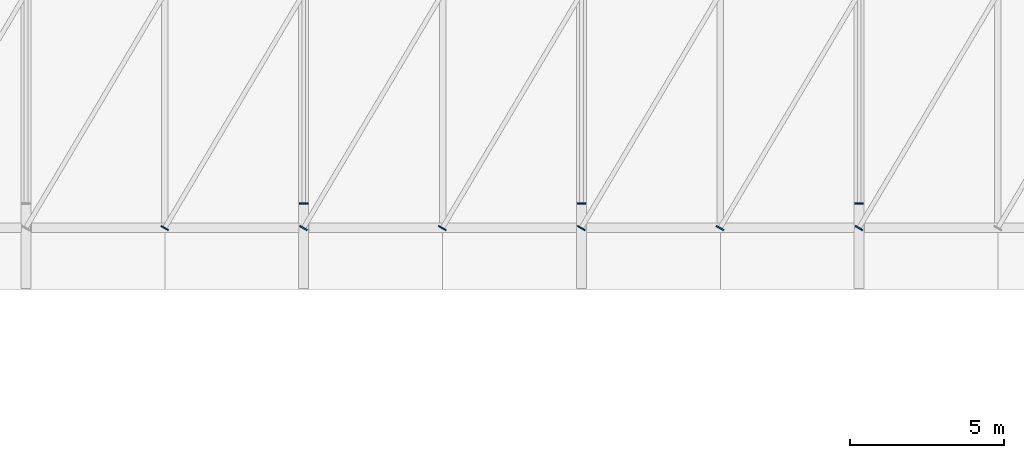
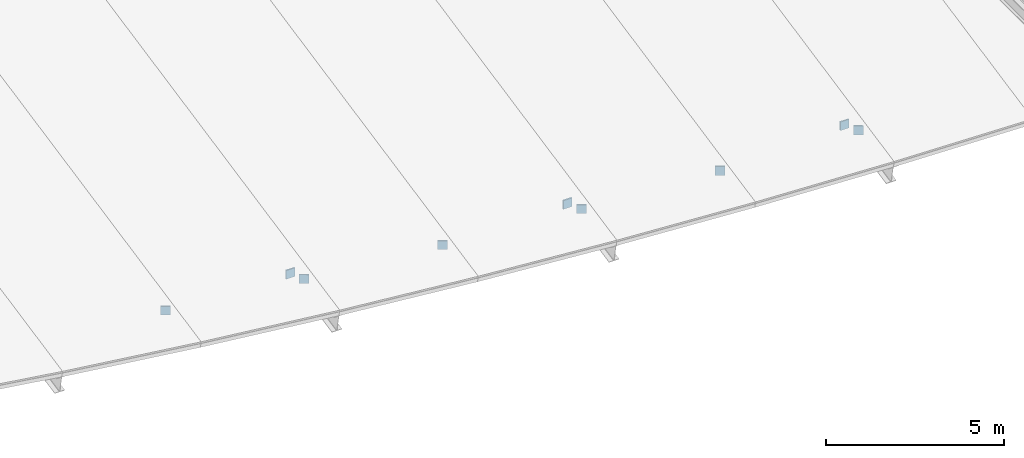
# One storey, part 16 of 21: 9 plates.
"""IFC4 building model written with IfcOpenShell, lengths in metres."""

from ifc_helpers import new_model, si_unit, direction, frame, origin, origin_2d, place, context, subcontext, project, spatial, rectangle, extrude, material, layer, layer_set, type_object, element, save


model = new_model("IFC4")

# Units and contexts
model_context = context("Model", 3, precision=1e-05, world=origin(), true_north=direction((0.0, 1.0)))
body_context = subcontext(model_context, "Body", "Model", "MODEL_VIEW")
ifc_project = project(units=[si_unit("LENGTHUNIT", "METRE"), si_unit("AREAUNIT", "SQUARE_METRE"), si_unit("VOLUMEUNIT", "CUBIC_METRE"), si_unit("PLANEANGLEUNIT", "RADIAN"), si_unit("MASSUNIT", "GRAM", prefix="KILO")], contexts=[model_context])

# Site, building, storey
site_placement = place(None, origin())
site = spatial("IfcSite", under=ifc_project, at=site_placement, CompositionType="ELEMENT")
building_placement = place(site_placement, origin())
building = spatial("IfcBuilding", under=site, at=building_placement, Name="Caisbarro Railhouse Central Library", CompositionType="ELEMENT")
storey_placement = place(building_placement, frame((0.0, 0.0, 26.639892578125)))
storey = spatial("IfcBuildingStorey", under=building, at=storey_placement, Name="RF", CompositionType="ELEMENT", Elevation=26.639892578125)

# Plates
ifc_material = material(Name="Steel ASTM A572 Grade 50", Category="steel")
ifc_layer = layer(ifc_material, 0.044921875, Name="Steel ASTM A572 Grade 50")
ifc_layer_set = layer_set([ifc_layer], Name="Steel ASTM A572 Grade 50")
plate_type = type_object("IfcPlateType", Name="PLT-EP01", PredefinedType="SHEET", material=ifc_layer_set)
for number, where, z_axis, x_axis, name in (
    (1, (45.0, 31.188232421875, -9.41064453125), (0.0, 0.0, 1.0), (0.0, 1.0, 0.0), "EP01 end cap plate"),
    (2, (54.0, 31.188232421875, -10.16064453125), (0.0, 0.0, 1.0), (0.0, 1.0, 0.0), "EP01 end cap plate"),
    (3, (63.0, 31.188232421875, -10.61083984375), (0.0, 0.0, 1.0), (0.0, 1.0, 0.0), "EP01 end cap plate"),
    (4, (40.493896484375, 30.3896484375, -8.6240234375), (0.0, 0.0, 1.0), (0.509492029423, 0.860475375565, 0.0), "EP01 end cap plate"),
    (5, (44.993896484375, 30.3896484375, -9.111328125), (0.0, 0.0, 1.0), (0.509492029423, 0.860475375565, 0.0), "EP01 end cap plate"),
    (6, (49.493896484375, 30.3896484375, -9.52392578125), (0.0, 0.0, 1.0), (0.509492029423, 0.860475375565, 0.0), "EP01 end cap plate"),
    (7, (53.993896484375, 30.389892578125, -9.86181640625), (0.0, 0.0, 1.0), (0.509492029423, 0.860475375565, 0.0), "EP01 end cap plate"),
    (8, (58.493896484375, 30.389892578125, -10.1240234375), (0.0, 0.0, 1.0), (0.509492029423, 0.860475375565, 0.0), "EP01 end cap plate"),
    (9, (62.993896484375, 30.389892578125, -10.31201171875), (0.0, 0.0, 1.0), (0.509492029423, 0.860475375565, 0.0), "EP01 end cap plate"),
):
    element("IfcPlate", number, at=place(storey_placement, frame(where, z_axis=z_axis, x_axis=x_axis)), inside=storey, type_object=plate_type, Name=name, PredefinedType="SHEET", context=body_context, shape_type="SweptSolid", body=[
        extrude(rectangle(XDim=0.044921875, YDim=0.280029296875, at=origin_2d()), origin(), (0.0, 0.0, 1.0), 0.300048828125),
    ])

save(model, "model.ifc")
